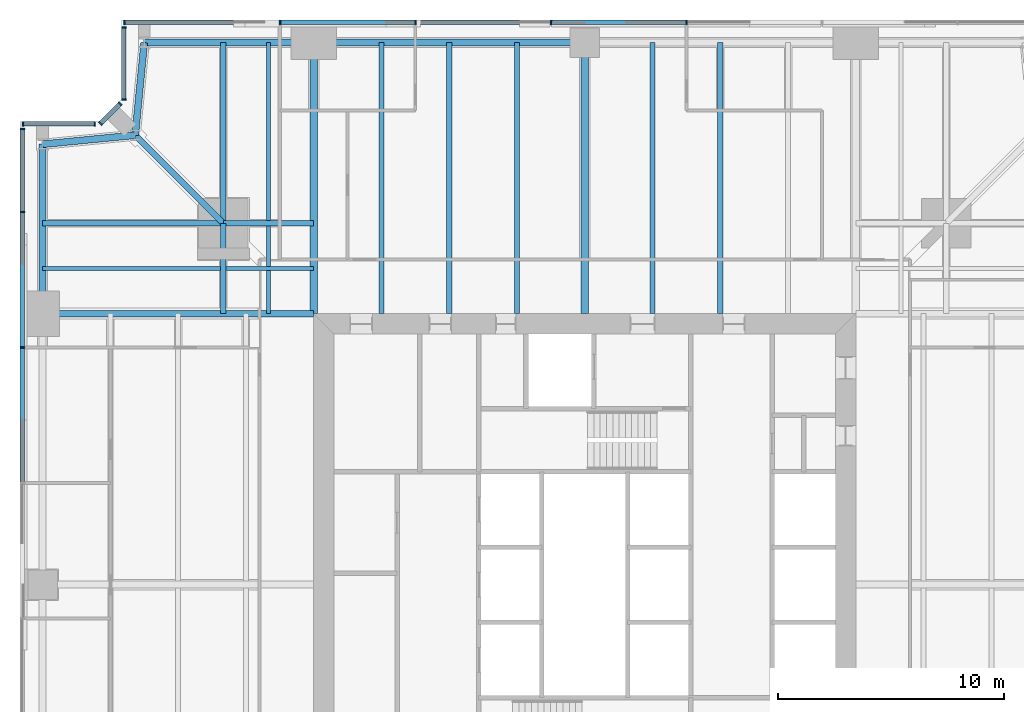
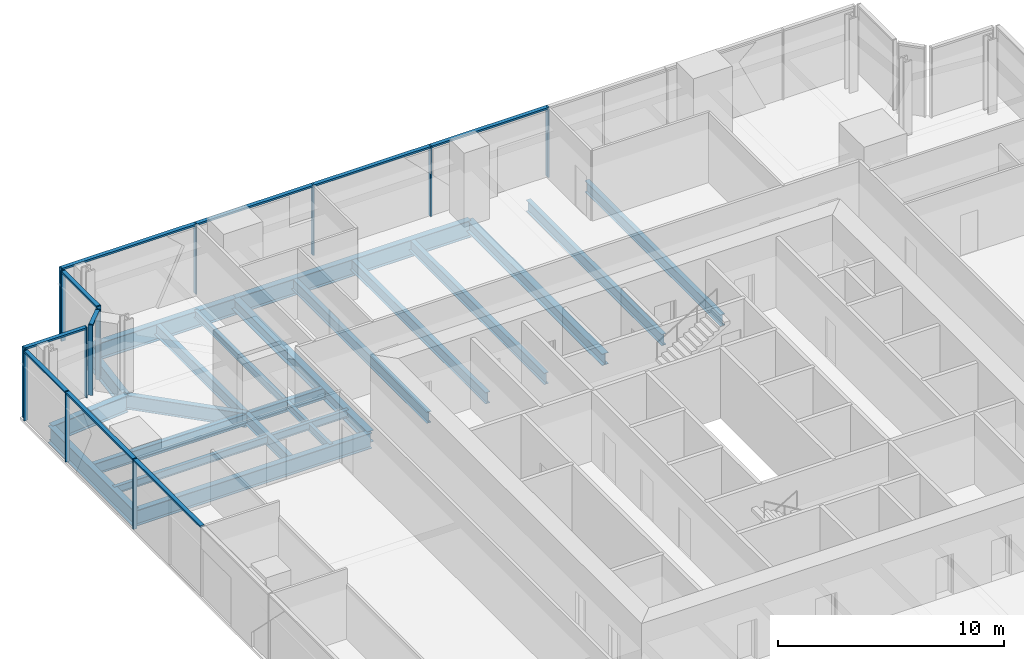
# One storey, part 6 of 13: 24 members, 23 beams, 5 elements without a shape of their own.
"""IFC4 building model written with IfcOpenShell, lengths in metres."""

from ifc_helpers import new_model, si_unit, direction, frame, origin, origin_2d, place, context, subcontext, project, spatial, rectangle, i_section, extrude, material, material_profile, profile_set, type_object, element, aggregate, save


model = new_model("IFC4")

# Units and contexts
model_context = context("Model", 3, precision=1e-05, world=origin(), true_north=direction((0.0, 1.0)))
body_context = subcontext(model_context, "Body", "Model", "MODEL_VIEW")
ifc_project = project(units=[si_unit("LENGTHUNIT", "METRE"), si_unit("AREAUNIT", "SQUARE_METRE"), si_unit("VOLUMEUNIT", "CUBIC_METRE"), si_unit("PLANEANGLEUNIT", "RADIAN"), si_unit("MASSUNIT", "GRAM", prefix="KILO")], contexts=[model_context])

# Site, building, storey
site_placement = place(None, origin())
site = spatial("IfcSite", under=ifc_project, at=site_placement, CompositionType="ELEMENT")
building_placement = place(site_placement, origin())
building = spatial("IfcBuilding", under=site, at=building_placement, Name="Fenwick Lantern Interchange", CompositionType="ELEMENT")
storey_placement = place(building_placement, frame((0.0, 0.0, 158.39990234375)))
storey = spatial("IfcBuildingStorey", under=building, at=storey_placement, Name="L37", CompositionType="ELEMENT", Elevation=158.39990234375)

# Beams
ifc_material_1 = material(Name="Steel ASTM A992 Grade 50", Category="steel")
ifc_material_profile_1 = material_profile(ifc_material_1, i_section(OverallWidth=0.3046875, OverallDepth=0.911865234375, WebThickness=0.015869140625, FlangeThickness=0.02392578125, at=origin_2d()), Name="W36X150")
ifc_profile_set_1 = profile_set([ifc_material_profile_1], Name="Steel ASTM A992 Grade 50")
beam_type_1 = type_object("IfcBeamType", Name="EDGE BEAM W36X150", PredefinedType="SPANDREL", material=ifc_profile_set_1)
beam_1_placement = place(storey_placement, frame((25.0, 49.0, -0.605712890625), z_axis=(-1.0, 0.0, 0.0), x_axis=(0.0, -1.0, 0.0)))
element("IfcBeam", 1, at=beam_1_placement, inside=storey, type_object=beam_type_1, Name="L37/FR/N/EB3", PredefinedType="SPANDREL", context=body_context, shape_type="SweptSolid", body=[
    extrude(i_section(OverallWidth=0.3046875, OverallDepth=0.911865234375, WebThickness=0.015869140625, FlangeThickness=0.02392578125, at=origin_2d()), origin(), (0.0, 0.0, 1.0), 12.0),
])
beam_2_placement = place(storey_placement, frame((13.0, 49.0, -0.605712890625), z_axis=(-1.0, 0.0, 0.0), x_axis=(0.0, -1.0, 0.0)))
element("IfcBeam", 2, at=beam_2_placement, inside=storey, type_object=beam_type_1, Name="L37/FR/N/EB4", PredefinedType="SPANDREL", context=body_context, shape_type="SweptSolid", body=[
    extrude(i_section(OverallWidth=0.3046875, OverallDepth=0.911865234375, WebThickness=0.015869140625, FlangeThickness=0.02392578125, at=origin_2d()), origin(), (0.0, 0.0, 1.0), 7.5),
])
for number, where, z_axis, x_axis, name in (
    (3, (5.5, 49.0, -0.605712890625), (-0.097074191287, -0.995277148028, 0.0), (0.995277148028, -0.097074191287, 0.0), "L37/FR/N/EBR1"),
    (4, (5.10009765625, 44.89990234375, -0.605712890625), (-0.995277148028, -0.097074191287, 0.0), (0.097074191287, -0.995277148028, 0.0), "L37/FR/N/EBR2"),
):
    element("IfcBeam", number, at=place(storey_placement, frame(where, z_axis=z_axis, x_axis=x_axis)), inside=storey, type_object=beam_type_1, Name=name, PredefinedType="SPANDREL", context=body_context, shape_type="SweptSolid", body=[
        extrude(i_section(OverallWidth=0.3046875, OverallDepth=0.911865234375, WebThickness=0.015869140625, FlangeThickness=0.02392578125, at=origin_2d()), origin(), (0.0, 0.0, 1.0), 4.11962890625),
    ])
beam_3_placement = place(storey_placement, frame((1.0, 44.5, -0.605712890625), z_axis=(0.0, -1.0, 0.0), x_axis=(1.0, 0.0, 0.0)))
element("IfcBeam", 5, at=beam_3_placement, inside=storey, type_object=beam_type_1, Name="L37/FR/W/EB1", PredefinedType="SPANDREL", context=body_context, shape_type="SweptSolid", body=[
    extrude(i_section(OverallWidth=0.3046875, OverallDepth=0.911865234375, WebThickness=0.015869140625, FlangeThickness=0.02392578125, at=origin_2d()), origin(), (0.0, 0.0, 1.0), 7.5),
])
ifc_material_profile_2 = material_profile(ifc_material_1, i_section(OverallWidth=0.22900390625, OverallDepth=0.612060546875, WebThickness=0.011962890625, FlangeThickness=0.01953125, at=origin_2d()), Name="W24X84")
ifc_profile_set_2 = profile_set([ifc_material_profile_2], Name="Steel ASTM A992 Grade 50")
beam_type_2 = type_object("IfcBeamType", Name="FLOOR BEAM W24X84", PredefinedType="BEAM", material=ifc_profile_set_2)
for number, where, z_axis, x_axis, name in (
    (6, (31.0, 49.0, -0.4560546875), (0.0, -1.0, 0.0), (1.0, 0.0, 0.0), "L37/FR/N/R03"),
    (7, (28.0, 49.0, -0.4560546875), (0.0, -1.0, 0.0), (1.0, 0.0, 0.0), "L37/FR/N/R04"),
    (8, (22.0, 49.0, -0.4560546875), (0.0, -1.0, 0.0), (1.0, 0.0, 0.0), "L37/FR/N/R06"),
    (9, (19.0, 49.0, -0.4560546875), (0.0, -1.0, 0.0), (1.0, 0.0, 0.0), "L37/FR/N/R07"),
    (10, (16.0, 49.0, -0.4560546875), (0.0, -1.0, 0.0), (1.0, 0.0, 0.0), "L37/FR/N/R08"),
):
    element("IfcBeam", number, at=place(storey_placement, frame(where, z_axis=z_axis, x_axis=x_axis)), inside=storey, type_object=beam_type_2, Name=name, PredefinedType="BEAM", context=body_context, shape_type="SweptSolid", body=[
        extrude(i_section(OverallWidth=0.22900390625, OverallDepth=0.612060546875, WebThickness=0.011962890625, FlangeThickness=0.01953125, at=origin_2d()), origin(), (0.0, 0.0, 1.0), 12.0),
    ])
ifc_material_profile_3 = material_profile(ifc_material_1, i_section(OverallWidth=0.177734375, OverallDepth=0.406494140625, WebThickness=0.0078125, FlangeThickness=0.012939453125, at=origin_2d()), Name="W16X40")
ifc_profile_set_3 = profile_set([ifc_material_profile_3], Name="Steel ASTM A992 Grade 50")
beam_type_3 = type_object("IfcBeamType", Name="INFILL BEAM W16X40", PredefinedType="JOIST", material=ifc_profile_set_3)
beam_4_placement = place(storey_placement, frame((1.0, 39.0, -0.35302734375), z_axis=(1.0, 0.0, 0.0), x_axis=(0.0, 1.0, 0.0)))
element("IfcBeam", 11, at=beam_4_placement, inside=storey, type_object=beam_type_3, Name="L37/FR/W/J1", PredefinedType="JOIST", context=body_context, shape_type="SweptSolid", body=[
    extrude(i_section(OverallWidth=0.177734375, OverallDepth=0.406494140625, WebThickness=0.0078125, FlangeThickness=0.012939453125, at=origin_2d()), origin(), (0.0, 0.0, 1.0), 7.885498046875),
])
beam_5_placement = place(storey_placement, frame((9.114501953125, 39.0, -0.35302734375), z_axis=(1.0, 0.0, 0.0), x_axis=(0.0, 1.0, 0.0)))
element("IfcBeam", 12, at=beam_5_placement, inside=storey, type_object=beam_type_3, Name="L37/FR/W/J2", PredefinedType="JOIST", context=body_context, shape_type="SweptSolid", body=[
    extrude(i_section(OverallWidth=0.177734375, OverallDepth=0.406494140625, WebThickness=0.0078125, FlangeThickness=0.012939453125, at=origin_2d()), origin(), (0.0, 0.0, 1.0), 3.885498046875),
])
beam_6_placement = place(storey_placement, frame((11.0, 49.0, -0.35302734375), z_axis=(0.0, -1.0, 0.0), x_axis=(1.0, 0.0, 0.0)))
element("IfcBeam", 13, at=beam_6_placement, inside=storey, type_object=beam_type_3, Name="L37/FR/W/J3", PredefinedType="JOIST", context=body_context, shape_type="SweptSolid", body=[
    extrude(i_section(OverallWidth=0.177734375, OverallDepth=0.406494140625, WebThickness=0.0078125, FlangeThickness=0.012939453125, at=origin_2d()), origin(), (0.0, 0.0, 1.0), 7.885498046875),
])
beam_7_placement = place(storey_placement, frame((11.0, 40.885498046875, -0.35302734375), z_axis=(0.0, -1.0, 0.0), x_axis=(1.0, 0.0, 0.0)))
element("IfcBeam", 14, at=beam_7_placement, inside=storey, type_object=beam_type_3, Name="L37/FR/W/J4", PredefinedType="JOIST", context=body_context, shape_type="SweptSolid", body=[
    extrude(i_section(OverallWidth=0.177734375, OverallDepth=0.406494140625, WebThickness=0.0078125, FlangeThickness=0.012939453125, at=origin_2d()), origin(), (0.0, 0.0, 1.0), 1.796630859375),
])
beam_8_placement = place(storey_placement, frame((11.0, 38.9111328125, -0.35302734375), z_axis=(0.0, -1.0, 0.0), x_axis=(1.0, 0.0, 0.0)))
element("IfcBeam", 15, at=beam_8_placement, inside=storey, type_object=beam_type_3, Name="L37/FR/W/J5", PredefinedType="JOIST", context=body_context, shape_type="SweptSolid", body=[
    extrude(i_section(OverallWidth=0.177734375, OverallDepth=0.406494140625, WebThickness=0.0078125, FlangeThickness=0.012939453125, at=origin_2d()), origin(), (0.0, 0.0, 1.0), 1.9111328125),
])
ifc_material_profile_4 = material_profile(ifc_material_1, i_section(OverallWidth=0.22900390625, OverallDepth=0.612060546875, WebThickness=0.011962890625, FlangeThickness=0.01953125, at=origin_2d()), Name="W24X84")
ifc_profile_set_4 = profile_set([ifc_material_profile_4], Name="Steel ASTM A992 Grade 50")
beam_type_4 = type_object("IfcBeamType", Name="MEGA COLUMN BEAM W24X84", PredefinedType="BEAM", material=ifc_profile_set_4)
for number, where, z_axis, x_axis, name in (
    (16, (9.0, 41.0, -0.4560546875), (-1.0, 0.0, 0.0), (0.0, -1.0, 0.0), "L37/FR/W/MB1"),
    (17, (9.0, 41.0, -0.4560546875), (0.0, 1.0, 0.0), (-1.0, 0.0, 0.0), "L37/FR/W/MB2"),
):
    element("IfcBeam", number, at=place(storey_placement, frame(where, z_axis=z_axis, x_axis=x_axis)), inside=storey, type_object=beam_type_4, Name=name, PredefinedType="BEAM", context=body_context, shape_type="SweptSolid", body=[
        extrude(i_section(OverallWidth=0.22900390625, OverallDepth=0.612060546875, WebThickness=0.011962890625, FlangeThickness=0.01953125, at=origin_2d()), origin(), (0.0, 0.0, 1.0), 8.0),
    ])
for number, where, z_axis, x_axis, name in (
    (18, (9.0, 41.0, -0.4560546875), (0.0, -1.0, 0.0), (1.0, 0.0, 0.0), "L37/FR/W/MB3"),
    (19, (9.0, 41.0, -0.4560546875), (1.0, 0.0, 0.0), (0.0, 1.0, 0.0), "L37/FR/W/MB4"),
):
    element("IfcBeam", number, at=place(storey_placement, frame(where, z_axis=z_axis, x_axis=x_axis)), inside=storey, type_object=beam_type_4, Name=name, PredefinedType="BEAM", context=body_context, shape_type="SweptSolid", body=[
        extrude(i_section(OverallWidth=0.22900390625, OverallDepth=0.612060546875, WebThickness=0.011962890625, FlangeThickness=0.01953125, at=origin_2d()), origin(), (0.0, 0.0, 1.0), 4.0),
    ])
ifc_material_profile_5 = material_profile(ifc_material_1, i_section(OverallWidth=0.32763671875, OverallDepth=0.622314453125, WebThickness=0.015380859375, FlangeThickness=0.0244140625, at=origin_2d()), Name="W24X131")
ifc_profile_set_5 = profile_set([ifc_material_profile_5], Name="Steel ASTM A992 Grade 50")
beam_type_5 = type_object("IfcBeamType", Name="MOMENT-CONNECTED GIRDER W24X131", PredefinedType="BEAM", material=ifc_profile_set_5)
for number, where, z_axis, x_axis, name in (
    (20, (25.0, 49.0, -0.4609375), (0.0, -1.0, 0.0), (1.0, 0.0, 0.0), "L37/FR/N/R05"),
    (21, (13.0, 49.0, -0.4609375), (0.0, -1.0, 0.0), (1.0, 0.0, 0.0), "L37/FR/N/R09"),
):
    element("IfcBeam", number, at=place(storey_placement, frame(where, z_axis=z_axis, x_axis=x_axis)), inside=storey, type_object=beam_type_5, Name=name, PredefinedType="BEAM", context=body_context, shape_type="SweptSolid", body=[
        extrude(i_section(OverallWidth=0.32763671875, OverallDepth=0.622314453125, WebThickness=0.015380859375, FlangeThickness=0.0244140625, at=origin_2d()), origin(), (0.0, 0.0, 1.0), 12.0),
    ])
ifc_material_profile_6 = material_profile(ifc_material_1, i_section(OverallWidth=0.2919921875, OverallDepth=0.845703125, WebThickness=0.015380859375, FlangeThickness=0.0244140625, at=origin_2d()), Name="W33X141")
ifc_profile_set_6 = profile_set([ifc_material_profile_6], Name="Steel ASTM A992 Grade 50")
beam_type_6 = type_object("IfcBeamType", Name="MOMENT-CONNECTED GIRDER W33X141", PredefinedType="BEAM", material=ifc_profile_set_6)
beam_9_placement = place(storey_placement, frame((1.0, 37.0, -0.57275390625), z_axis=(1.0, 0.0, 0.0), x_axis=(0.0, 1.0, 0.0)))
element("IfcBeam", 22, at=beam_9_placement, inside=storey, type_object=beam_type_6, Name="L37/FR/W/R01", PredefinedType="BEAM", context=body_context, shape_type="SweptSolid", body=[
    extrude(i_section(OverallWidth=0.2919921875, OverallDepth=0.845703125, WebThickness=0.015380859375, FlangeThickness=0.0244140625, at=origin_2d()), origin(), (0.0, 0.0, 1.0), 12.0),
])
ifc_material_profile_7 = material_profile(ifc_material_1, i_section(OverallWidth=0.2666015625, OverallDepth=0.7568359375, WebThickness=0.013916015625, FlangeThickness=0.019287109375, at=origin_2d()), Name="W30X108")
ifc_profile_set_7 = profile_set([ifc_material_profile_7], Name="Steel ASTM A992 Grade 50")
beam_type_7 = type_object("IfcBeamType", Name="NOTCH BEAM W30X108", PredefinedType="BEAM", material=ifc_profile_set_7)
beam_10_placement = place(storey_placement, frame((9.0, 41.0, -0.5283203125), z_axis=(-0.707106781187, 0.707106781187, 0.0), x_axis=(-0.707106781187, -0.707106781187, 0.0)))
element("IfcBeam", 23, at=beam_10_placement, inside=storey, type_object=beam_type_7, Name="L37/FR/W/TG", PredefinedType="BEAM", context=body_context, shape_type="SweptSolid", body=[
    extrude(i_section(OverallWidth=0.2666015625, OverallDepth=0.7568359375, WebThickness=0.013916015625, FlangeThickness=0.019287109375, at=origin_2d()), origin(), (0.0, 0.0, 1.0), 5.515380859375),
])

# Curtain wall, members
ifc_material_2 = material(Name="Aluminium curtain wall frame", Category="aluminium")
curtain_wall_type = type_object("IfcCurtainWallType", Name="OFFICE CURTAIN WALL", PredefinedType="USERDEFINED", material=ifc_material_2)
curtain_wall_1_placement = place(storey_placement, origin())
curtain_wall_1 = element("IfcCurtainWall", 24, at=curtain_wall_1_placement, inside=storey, type_object=curtain_wall_type, Name="Office curtain wall 09", ObjectType="OFFICE CURTAIN WALL", PredefinedType="USERDEFINED")
ifc_material_3 = material(Name="Aluminium extrusion", Category="aluminium")
ifc_material_profile_8 = material_profile(ifc_material_3, rectangle(XDim=0.199951171875, YDim=0.06494140625, at=origin_2d()), Name="OFFICE CURTAIN WALL MULLION 65 X 200")
ifc_profile_set_8 = profile_set([ifc_material_profile_8], Name="Aluminium extrusion")
member_type_1 = type_object("IfcMemberType", Name="OFFICE CURTAIN WALL MULLION 65 X 200", PredefinedType="MULLION", material=ifc_profile_set_8)
member_1_placement = place(storey_placement, frame((29.5, 49.89990234375, 0.0), z_axis=(0.0, 0.0, 1.0), x_axis=(0.0, -1.0, 0.0)))
member_1 = element("IfcMember", 25, at=member_1_placement, type_object=member_type_1, Name="L37/CW/09/M03", PredefinedType="MULLION", context=body_context, shape_type="SweptSolid", body=[
    extrude(rectangle(XDim=0.199951171875, YDim=0.06494140625, at=origin_2d()), origin(), (0.0, 0.0, 1.0), 3.800048828125),
])
member_2_placement = place(storey_placement, frame((23.5, 49.89990234375, 0.0), z_axis=(0.0, 0.0, 1.0), x_axis=(0.0, -1.0, 0.0)))
member_2 = element("IfcMember", 26, at=member_2_placement, type_object=member_type_1, Name="L37/CW/09/M04", PredefinedType="MULLION", context=body_context, shape_type="SweptSolid", body=[
    extrude(rectangle(XDim=0.199951171875, YDim=0.06494140625, at=origin_2d()), origin(), (0.0, 0.0, 1.0), 3.800048828125),
])
member_3_placement = place(storey_placement, frame((17.5, 49.89990234375, 0.0), z_axis=(0.0, 0.0, 1.0), x_axis=(0.0, -1.0, 0.0)))
member_3 = element("IfcMember", 27, at=member_3_placement, type_object=member_type_1, Name="L37/CW/09/M05", PredefinedType="MULLION", context=body_context, shape_type="SweptSolid", body=[
    extrude(rectangle(XDim=0.199951171875, YDim=0.06494140625, at=origin_2d()), origin(), (0.0, 0.0, 1.0), 3.800048828125),
])
member_4_placement = place(storey_placement, frame((11.5, 49.89990234375, 0.0), z_axis=(0.0, 0.0, 1.0), x_axis=(0.0, -1.0, 0.0)))
member_4 = element("IfcMember", 28, at=member_4_placement, type_object=member_type_1, Name="L37/CW/09/M06", PredefinedType="MULLION", context=body_context, shape_type="SweptSolid", body=[
    extrude(rectangle(XDim=0.199951171875, YDim=0.06494140625, at=origin_2d()), origin(), (0.0, 0.0, 1.0), 3.800048828125),
])
member_5_placement = place(storey_placement, frame((4.632568359375, 49.89990234375, 0.0), z_axis=(0.0, 0.0, 1.0), x_axis=(0.0, -1.0, 0.0)))
member_5 = element("IfcMember", 29, at=member_5_placement, type_object=member_type_1, Name="L37/CW/09/M07", PredefinedType="MULLION", context=body_context, shape_type="SweptSolid", body=[
    extrude(rectangle(XDim=0.199951171875, YDim=0.06494140625, at=origin_2d()), origin(), (0.0, 0.0, 1.0), 3.800048828125),
])

curtain_wall_2_placement = place(storey_placement, origin())
curtain_wall_2 = element("IfcCurtainWall", 30, at=curtain_wall_2_placement, inside=storey, type_object=curtain_wall_type, Name="Office curtain wall 10", ObjectType="OFFICE CURTAIN WALL", PredefinedType="USERDEFINED")
member_6_placement = place(storey_placement, frame((4.60009765625, 49.66748046875, 0.0), z_axis=(0.0, 0.0, 1.0), x_axis=(1.0, 0.0, 0.0)))
member_6 = element("IfcMember", 31, at=member_6_placement, type_object=member_type_1, Name="L37/CW/10/M00", PredefinedType="MULLION", context=body_context, shape_type="SweptSolid", body=[
    extrude(rectangle(XDim=0.199951171875, YDim=0.06494140625, at=origin_2d()), origin(), (0.0, 0.0, 1.0), 3.800048828125),
])
member_7_placement = place(storey_placement, frame((4.60009765625, 46.490966796875, 0.0), z_axis=(0.0, 0.0, 1.0), x_axis=(1.0, 0.0, 0.0)))
member_7 = element("IfcMember", 32, at=member_7_placement, type_object=member_type_1, Name="L37/CW/10/M01", PredefinedType="MULLION", context=body_context, shape_type="SweptSolid", body=[
    extrude(rectangle(XDim=0.199951171875, YDim=0.06494140625, at=origin_2d()), origin(), (0.0, 0.0, 1.0), 3.800048828125),
])

curtain_wall_3_placement = place(storey_placement, origin())
curtain_wall_3 = element("IfcCurtainWall", 33, at=curtain_wall_3_placement, inside=storey, type_object=curtain_wall_type, Name="Office curtain wall 11", ObjectType="OFFICE CURTAIN WALL", PredefinedType="USERDEFINED")
member_8_placement = place(storey_placement, frame((4.435546875, 46.294189453125, 0.0), z_axis=(0.0, 0.0, 1.0), x_axis=(0.707106781187, -0.707106781187, 0.0)))
member_8 = element("IfcMember", 34, at=member_8_placement, type_object=member_type_1, Name="L37/CW/11/M00", PredefinedType="MULLION", context=body_context, shape_type="SweptSolid", body=[
    extrude(rectangle(XDim=0.199951171875, YDim=0.06494140625, at=origin_2d()), origin(), (0.0, 0.0, 1.0), 3.800048828125),
])
member_9_placement = place(storey_placement, frame((3.564453125, 45.423095703125, 0.0), z_axis=(0.0, 0.0, 1.0), x_axis=(0.707106781187, -0.707106781187, 0.0)))
member_9 = element("IfcMember", 35, at=member_9_placement, type_object=member_type_1, Name="L37/CW/11/M01", PredefinedType="MULLION", context=body_context, shape_type="SweptSolid", body=[
    extrude(rectangle(XDim=0.199951171875, YDim=0.06494140625, at=origin_2d()), origin(), (0.0, 0.0, 1.0), 3.800048828125),
])

curtain_wall_4_placement = place(storey_placement, origin())
curtain_wall_4 = element("IfcCurtainWall", 36, at=curtain_wall_4_placement, inside=storey, type_object=curtain_wall_type, Name="Office curtain wall 12", ObjectType="OFFICE CURTAIN WALL", PredefinedType="USERDEFINED")
member_10_placement = place(storey_placement, frame((3.308837890625, 45.39990234375, 0.0), z_axis=(0.0, 0.0, 1.0), x_axis=(0.0, -1.0, 0.0)))
member_10 = element("IfcMember", 37, at=member_10_placement, type_object=member_type_1, Name="L37/CW/12/M00", PredefinedType="MULLION", context=body_context, shape_type="SweptSolid", body=[
    extrude(rectangle(XDim=0.199951171875, YDim=0.06494140625, at=origin_2d()), origin(), (0.0, 0.0, 1.0), 3.800048828125),
])
member_11_placement = place(storey_placement, frame((0.132568359375, 45.39990234375, 0.0), z_axis=(0.0, 0.0, 1.0), x_axis=(0.0, -1.0, 0.0)))
member_11 = element("IfcMember", 38, at=member_11_placement, type_object=member_type_1, Name="L37/CW/12/M01", PredefinedType="MULLION", context=body_context, shape_type="SweptSolid", body=[
    extrude(rectangle(XDim=0.199951171875, YDim=0.06494140625, at=origin_2d()), origin(), (0.0, 0.0, 1.0), 3.800048828125),
])

curtain_wall_5_placement = place(storey_placement, origin())
curtain_wall_5 = element("IfcCurtainWall", 39, at=curtain_wall_5_placement, inside=storey, type_object=curtain_wall_type, Name="Office curtain wall 13", ObjectType="OFFICE CURTAIN WALL", PredefinedType="USERDEFINED")
member_12_placement = place(storey_placement, frame((0.10009765625, 45.16748046875, 0.0), z_axis=(0.0, 0.0, 1.0), x_axis=(1.0, 0.0, 0.0)))
member_12 = element("IfcMember", 40, at=member_12_placement, type_object=member_type_1, Name="L37/CW/13/M00", PredefinedType="MULLION", context=body_context, shape_type="SweptSolid", body=[
    extrude(rectangle(XDim=0.199951171875, YDim=0.06494140625, at=origin_2d()), origin(), (0.0, 0.0, 1.0), 3.800048828125),
])
member_13_placement = place(storey_placement, frame((0.10009765625, 41.5, 0.0), z_axis=(0.0, 0.0, 1.0), x_axis=(1.0, 0.0, 0.0)))
member_13 = element("IfcMember", 41, at=member_13_placement, type_object=member_type_1, Name="L37/CW/13/M01", PredefinedType="MULLION", context=body_context, shape_type="SweptSolid", body=[
    extrude(rectangle(XDim=0.199951171875, YDim=0.06494140625, at=origin_2d()), origin(), (0.0, 0.0, 1.0), 3.800048828125),
])
member_14_placement = place(storey_placement, frame((0.10009765625, 35.5, 0.0), z_axis=(0.0, 0.0, 1.0), x_axis=(1.0, 0.0, 0.0)))
member_14 = element("IfcMember", 42, at=member_14_placement, type_object=member_type_1, Name="L37/CW/13/M02", PredefinedType="MULLION", context=body_context, shape_type="SweptSolid", body=[
    extrude(rectangle(XDim=0.199951171875, YDim=0.06494140625, at=origin_2d()), origin(), (0.0, 0.0, 1.0), 3.800048828125),
])

# Member
ifc_material_profile_9 = material_profile(ifc_material_3, rectangle(XDim=0.199951171875, YDim=0.10009765625, at=origin_2d()), Name="OFFICE CURTAIN WALL TRANSOM 100 X 200")
ifc_profile_set_9 = profile_set([ifc_material_profile_9], Name="Aluminium extrusion")
member_type_2 = type_object("IfcMemberType", Name="OFFICE CURTAIN WALL TRANSOM 100 X 200", PredefinedType="MULLION", material=ifc_profile_set_9)
member_15_placement = place(storey_placement, frame((29.467529296875, 49.89990234375, 3.75), z_axis=(-1.0, 0.0, 0.0), x_axis=(0.0, -1.0, 0.0)))
member_15 = element("IfcMember", 43, at=member_15_placement, type_object=member_type_2, Name="L37/CW/09/T03", PredefinedType="MULLION", context=body_context, shape_type="SweptSolid", body=[
    extrude(rectangle(XDim=0.199951171875, YDim=0.10009765625, at=origin_2d()), origin(), (0.0, 0.0, 1.0), 5.93505859375),
])

member_16_placement = place(storey_placement, frame((23.467529296875, 49.89990234375, 3.75), z_axis=(-1.0, 0.0, 0.0), x_axis=(0.0, -1.0, 0.0)))
member_16 = element("IfcMember", 44, at=member_16_placement, type_object=member_type_2, Name="L37/CW/09/T04", PredefinedType="MULLION", context=body_context, shape_type="SweptSolid", body=[
    extrude(rectangle(XDim=0.199951171875, YDim=0.10009765625, at=origin_2d()), origin(), (0.0, 0.0, 1.0), 5.93505859375),
])

member_17_placement = place(storey_placement, frame((17.467529296875, 49.89990234375, 3.75), z_axis=(-1.0, 0.0, 0.0), x_axis=(0.0, -1.0, 0.0)))
member_17 = element("IfcMember", 45, at=member_17_placement, type_object=member_type_2, Name="L37/CW/09/T05", PredefinedType="MULLION", context=body_context, shape_type="SweptSolid", body=[
    extrude(rectangle(XDim=0.199951171875, YDim=0.10009765625, at=origin_2d()), origin(), (0.0, 0.0, 1.0), 5.93505859375),
])

member_18_placement = place(storey_placement, frame((11.467529296875, 49.89990234375, 3.75), z_axis=(-1.0, 0.0, 0.0), x_axis=(0.0, -1.0, 0.0)))
member_18 = element("IfcMember", 46, at=member_18_placement, type_object=member_type_2, Name="L37/CW/09/T06", PredefinedType="MULLION", context=body_context, shape_type="SweptSolid", body=[
    extrude(rectangle(XDim=0.199951171875, YDim=0.10009765625, at=origin_2d()), origin(), (0.0, 0.0, 1.0), 6.802490234375),
])

aggregate(curtain_wall_1, [member_1, member_2, member_3, member_4, member_5, member_15, member_16, member_17, member_18])

member_19_placement = place(storey_placement, frame((4.60009765625, 49.635009765625, 3.75), z_axis=(0.0, -1.0, 0.0), x_axis=(1.0, 0.0, 0.0)))
member_19 = element("IfcMember", 47, at=member_19_placement, type_object=member_type_2, Name="L37/CW/10/T00", PredefinedType="MULLION", context=body_context, shape_type="SweptSolid", body=[
    extrude(rectangle(XDim=0.199951171875, YDim=0.10009765625, at=origin_2d()), origin(), (0.0, 0.0, 1.0), 3.111328125),
])

aggregate(curtain_wall_2, [member_6, member_7, member_19])

member_20_placement = place(storey_placement, frame((4.41259765625, 46.271240234375, 3.75), z_axis=(-0.707106781187, -0.707106781187, 0.0), x_axis=(0.707106781187, -0.707106781187, 0.0)))
member_20 = element("IfcMember", 48, at=member_20_placement, type_object=member_type_2, Name="L37/CW/11/T00", PredefinedType="MULLION", context=body_context, shape_type="SweptSolid", body=[
    extrude(rectangle(XDim=0.199951171875, YDim=0.10009765625, at=origin_2d()), origin(), (0.0, 0.0, 1.0), 1.1669921875),
])

aggregate(curtain_wall_3, [member_8, member_9, member_20])

member_21_placement = place(storey_placement, frame((3.2763671875, 45.39990234375, 3.75), z_axis=(-1.0, 0.0, 0.0), x_axis=(0.0, -1.0, 0.0)))
member_21 = element("IfcMember", 49, at=member_21_placement, type_object=member_type_2, Name="L37/CW/12/T00", PredefinedType="MULLION", context=body_context, shape_type="SweptSolid", body=[
    extrude(rectangle(XDim=0.199951171875, YDim=0.10009765625, at=origin_2d()), origin(), (0.0, 0.0, 1.0), 3.111328125),
])

aggregate(curtain_wall_4, [member_10, member_11, member_21])

member_22_placement = place(storey_placement, frame((0.10009765625, 45.135009765625, 3.75), z_axis=(0.0, -1.0, 0.0), x_axis=(1.0, 0.0, 0.0)))
member_22 = element("IfcMember", 50, at=member_22_placement, type_object=member_type_2, Name="L37/CW/13/T00", PredefinedType="MULLION", context=body_context, shape_type="SweptSolid", body=[
    extrude(rectangle(XDim=0.199951171875, YDim=0.10009765625, at=origin_2d()), origin(), (0.0, 0.0, 1.0), 3.6025390625),
])

member_23_placement = place(storey_placement, frame((0.10009765625, 41.467529296875, 3.75), z_axis=(0.0, -1.0, 0.0), x_axis=(1.0, 0.0, 0.0)))
member_23 = element("IfcMember", 51, at=member_23_placement, type_object=member_type_2, Name="L37/CW/13/T01", PredefinedType="MULLION", context=body_context, shape_type="SweptSolid", body=[
    extrude(rectangle(XDim=0.199951171875, YDim=0.10009765625, at=origin_2d()), origin(), (0.0, 0.0, 1.0), 5.93505859375),
])

member_24_placement = place(storey_placement, frame((0.10009765625, 35.467529296875, 3.75), z_axis=(0.0, -1.0, 0.0), x_axis=(1.0, 0.0, 0.0)))
member_24 = element("IfcMember", 52, at=member_24_placement, type_object=member_type_2, Name="L37/CW/13/T02", PredefinedType="MULLION", context=body_context, shape_type="SweptSolid", body=[
    extrude(rectangle(XDim=0.199951171875, YDim=0.10009765625, at=origin_2d()), origin(), (0.0, 0.0, 1.0), 5.93505859375),
])

aggregate(curtain_wall_5, [member_12, member_13, member_14, member_22, member_23, member_24])

save(model, "model.ifc")
